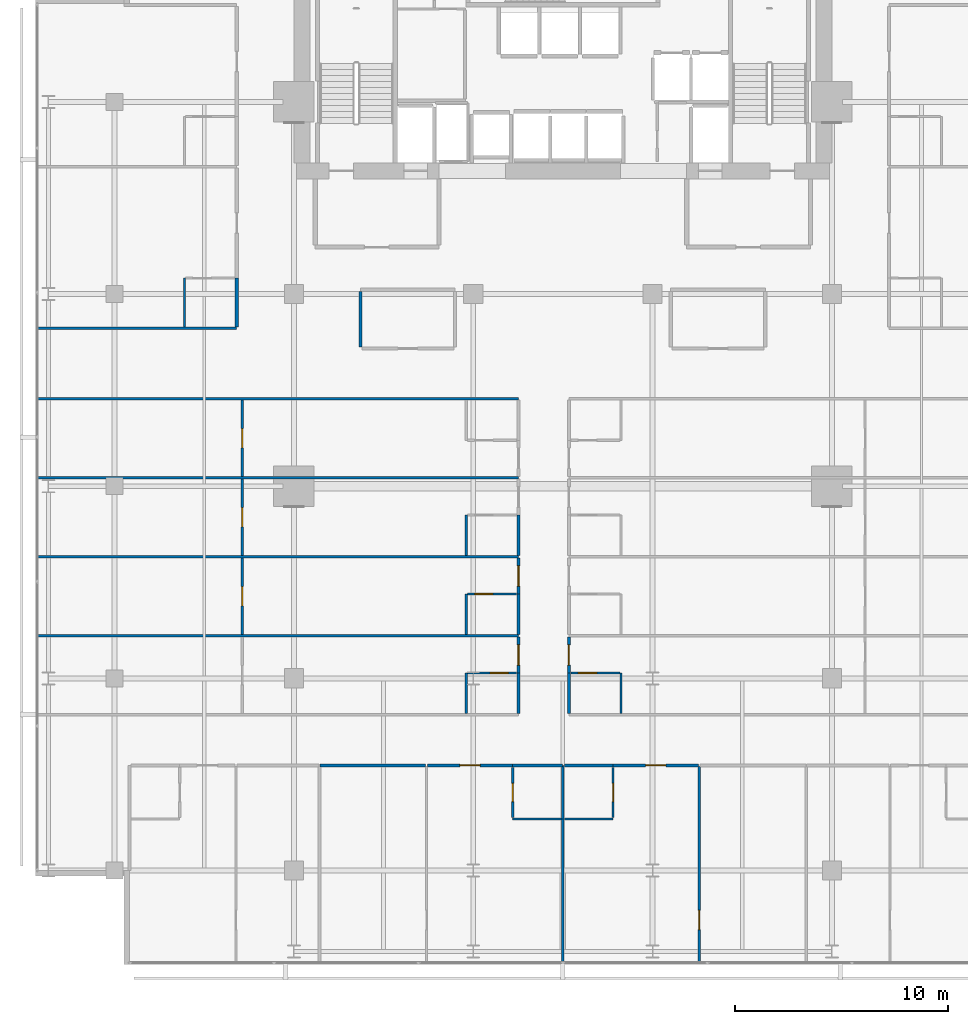
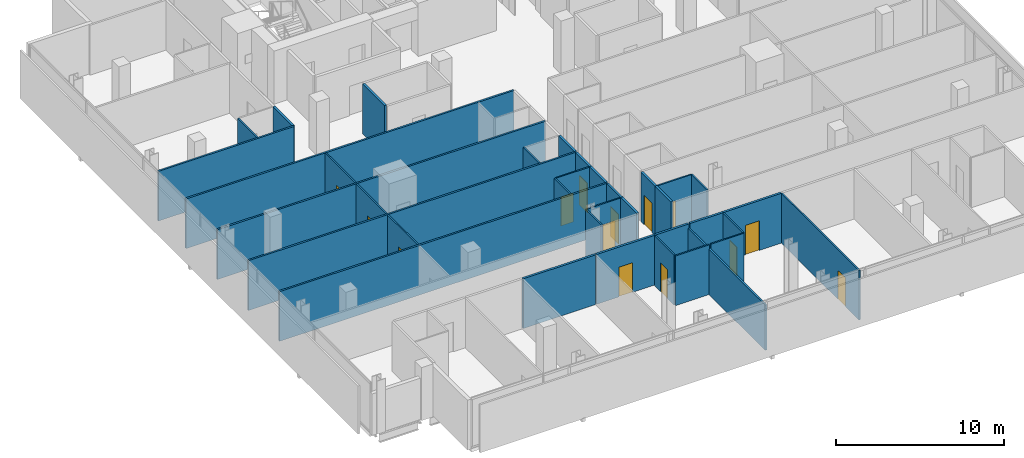
# One storey, part 27 of 34: 36 walls, 14 doors, 14 openings.
"""IFC4 building model written with IfcOpenShell, lengths in metres."""

from ifc_helpers import new_model, si_unit, direction, frame, frame_2d, origin, place, context, subcontext, project, spatial, rectangle, extrude, material, layer, layer_set, type_object, element, fill, save


model = new_model("IFC4")

# Units and contexts
model_context = context("Model", 3, precision=1e-05, world=origin(), true_north=direction((0.0, 1.0)))
body_context = subcontext(model_context, "Body", "Model", "MODEL_VIEW")
ifc_project = project(units=[si_unit("LENGTHUNIT", "METRE"), si_unit("AREAUNIT", "SQUARE_METRE"), si_unit("VOLUMEUNIT", "CUBIC_METRE"), si_unit("PLANEANGLEUNIT", "RADIAN"), si_unit("MASSUNIT", "GRAM", prefix="KILO")], contexts=[model_context])

# Site, building, storey
site_placement = place(None, origin())
site = spatial("IfcSite", under=ifc_project, at=site_placement, CompositionType="ELEMENT")
building_placement = place(site_placement, origin())
building = spatial("IfcBuilding", under=site, at=building_placement, Name="Maruvema Waterfront Hotel and Observation Tower", CompositionType="ELEMENT")
storey_placement = place(building_placement, frame((0.0, 0.0, 189.0)))
storey = spatial("IfcBuildingStorey", under=building, at=storey_placement, Name="L46", CompositionType="ELEMENT", Elevation=189.0)

# Walls
ifc_material_1 = material(Name="Twin-stud acoustic gypsum drywall", Category="gypsum")
ifc_layer_1 = layer(ifc_material_1, 0.14990234375, Name="Acoustic Corridor and Suite Demising Wall 150 mm")
ifc_layer_set_1 = layer_set([ifc_layer_1], Name="Twin-stud acoustic gypsum drywall")
wall_type_1 = type_object("IfcWallType", Name="Acoustic Corridor and Suite Demising Wall 150 mm", PredefinedType="PARTITIONING", material=ifc_layer_set_1)
wall_1_placement = place(storey_placement, frame((28.320068359375, 33.530029296875, 0.0), z_axis=(0.0, 0.0, 1.0), x_axis=(0.0, 1.0, 0.0)))
element("IfcWall", 1, at=wall_1_placement, inside=storey, type_object=wall_type_1, Name="L46 L46-M1 West Wall 018", PredefinedType="PARTITIONING", context=body_context, shape_type="SweptSolid", body=[
    extrude(rectangle(XDim=2.590087890625, YDim=0.14990234375, at=frame_2d((1.294921875, 0.0))), origin(), (0.0, 0.0, 1.0), 3.610107421875),
])
wall_2_placement = place(storey_placement, frame((35.449951171875, 13.919921875, 0.0), z_axis=(0.0, 0.0, 1.0), x_axis=(1.0, 0.0, 0.0)))
element("IfcWall", 2, at=wall_2_placement, inside=storey, type_object=wall_type_1, Name="L46 Bath L46-S2 Back Wall 034", PredefinedType="PARTITIONING", context=body_context, shape_type="SweptSolid", body=[
    extrude(rectangle(XDim=2.330078125, YDim=0.14990234375, at=frame_2d((1.1650390625, 0.0))), origin(), (0.0, 0.0, 1.0), 3.610107421875),
])
wall_3_placement = place(storey_placement, frame((26.419921875, 13.919921875, 0.0), z_axis=(0.0, 0.0, 1.0), x_axis=(1.0, 0.0, 0.0)))
element("IfcWall", 3, at=wall_3_placement, inside=storey, type_object=wall_type_1, Name="L46 Bedroom L46-S2 Back Wall 037", PredefinedType="PARTITIONING", context=body_context, shape_type="SweptSolid", body=[
    extrude(rectangle(XDim=4.9560546875, YDim=0.14990234375, at=frame_2d((2.47802734375, 0.0))), origin(), (0.0, 0.0, 1.0), 3.610107421875),
])

# Wall, opening, door
wall_4_placement = place(storey_placement, frame((31.4560546875, 13.919921875, 0.0), z_axis=(0.0, 0.0, 1.0), x_axis=(1.0, 0.0, 0.0)))
wall_4 = element("IfcWall", 4, at=wall_4_placement, inside=storey, type_object=wall_type_1, Name="L46 Unit L46-S2 Corridor Wall 038", PredefinedType="PARTITIONING", context=body_context, shape_type="SweptSolid", body=[
    extrude(rectangle(XDim=3.993896484375, YDim=0.14990234375, at=frame_2d((1.9970703125, 0.0))), origin(), (0.0, 0.0, 1.0), 3.610107421875),
])
opening_1_placement = place(wall_4_placement, frame((1.52197265625, 0.0, 0.0)))
opening_1 = element("IfcOpeningElement", 5, at=opening_1_placement, cuts=wall_4, Name="Opening DR-095", PredefinedType="OPENING", context=body_context, shape_type="SweptSolid", body=[
    extrude(rectangle(XDim=0.949951171875, YDim=2.14990234375, at=frame_2d((0.47509765625, 1.074951171875))), frame((0.0, 0.0849609375, 0.0), z_axis=(0.0, -1.0, 0.0), x_axis=(1.0, 0.0, 0.0)), (0.0, 0.0, 1.0), 0.169921875),
])
ifc_material_2 = material(Name="Acoustic solid-core hardwood timber leaf", Category="wood")
door_type_1 = type_object("IfcDoorType", Name="Guestroom Entrance Fire Door 950x2150 mm", OperationType="NOTDEFINED", PredefinedType="DOOR", material=ifc_material_2)
door_1_placement = place(opening_1_placement, frame((0.949951171875, 0.0, 0.0), z_axis=(0.0, 0.0, 1.0), x_axis=(-1.0, 0.0, 0.0)))
door_1 = element("IfcDoor", 6, at=door_1_placement, inside=storey, type_object=door_type_1, Name="L46 Unit L46-S2 Entrance Door", OperationType="SINGLE_SWING_LEFT", OverallHeight=2.14990234375, OverallWidth=0.949951171875, PredefinedType="DOOR", context=body_context, shape_type="SweptSolid", body=[
    extrude(rectangle(XDim=0.949951171875, YDim=2.14990234375, at=frame_2d((0.47509765625, 1.074951171875))), frame((0.0, 0.02490234375, 0.0), z_axis=(0.0, -1.0, 0.0), x_axis=(1.0, 0.0, 0.0)), (0.0, 0.0, 1.0), 0.050048828125),
])
fill(opening_1, door_1)

# Wall
wall_5_placement = place(storey_placement, frame((37.8798828125, 13.919921875, 0.0), z_axis=(0.0, 0.0, 1.0), x_axis=(1.0, 0.0, 0.0)))
element("IfcWall", 7, at=wall_5_placement, inside=storey, type_object=wall_type_1, Name="L46 Bath L46-S3 Back Wall 041", PredefinedType="PARTITIONING", context=body_context, shape_type="SweptSolid", body=[
    extrude(rectangle(XDim=2.27001953125, YDim=0.14990234375, at=frame_2d((1.135009765625, 0.0))), origin(), (0.0, 0.0, 1.0), 3.610107421875),
])

# Wall, opening, door
wall_6_placement = place(storey_placement, frame((40.14990234375, 13.919921875, 0.0), z_axis=(0.0, 0.0, 1.0), x_axis=(1.0, 0.0, 0.0)))
wall_6 = element("IfcWall", 8, at=wall_6_placement, inside=storey, type_object=wall_type_1, Name="L46 Unit L46-S3 Corridor Wall 044", PredefinedType="PARTITIONING", context=body_context, shape_type="SweptSolid", body=[
    extrude(rectangle(XDim=3.994140625, YDim=0.14990234375, at=frame_2d((1.9970703125, 0.0))), origin(), (0.0, 0.0, 1.0), 3.610107421875),
])
opening_2_placement = place(wall_6_placement, frame((1.52197265625, 0.0, 0.0)))
opening_2 = element("IfcOpeningElement", 9, at=opening_2_placement, cuts=wall_6, Name="Opening DR-095", PredefinedType="OPENING", context=body_context, shape_type="SweptSolid", body=[
    extrude(rectangle(XDim=0.949951171875, YDim=2.14990234375, at=frame_2d((0.47509765625, 1.074951171875))), frame((0.0, 0.0849609375, 0.0), z_axis=(0.0, -1.0, 0.0), x_axis=(1.0, 0.0, 0.0)), (0.0, 0.0, 1.0), 0.169921875),
])
door_2_placement = place(opening_2_placement, frame((0.949951171875, 0.0, 0.0), z_axis=(0.0, 0.0, 1.0), x_axis=(-1.0, 0.0, 0.0)))
door_2 = element("IfcDoor", 10, at=door_2_placement, inside=storey, type_object=door_type_1, Name="L46 Unit L46-S3 Entrance Door", OperationType="SINGLE_SWING_RIGHT", OverallHeight=2.14990234375, OverallWidth=0.949951171875, PredefinedType="DOOR", context=body_context, shape_type="SweptSolid", body=[
    extrude(rectangle(XDim=0.949951171875, YDim=2.14990234375, at=frame_2d((0.47509765625, 1.074951171875))), frame((0.0, 0.02490234375, 0.0), z_axis=(0.0, -1.0, 0.0), x_axis=(1.0, 0.0, 0.0)), (0.0, 0.0, 1.0), 0.050048828125),
])
fill(opening_2, door_2)

# Wall
wall_7_placement = place(storey_placement, frame((35.719970703125, 16.360107421875, 0.0), z_axis=(0.0, 0.0, 1.0), x_axis=(0.0, 1.0, 0.0)))
element("IfcWall", 11, at=wall_7_placement, inside=storey, type_object=wall_type_1, Name="L46 Bath L46-W1 Wall 058", PredefinedType="PARTITIONING", context=body_context, shape_type="SweptSolid", body=[
    extrude(rectangle(XDim=1.889892578125, YDim=0.14990234375, at=frame_2d((0.94482421875, 0.0))), origin(), (0.0, 0.0, 1.0), 3.610107421875),
])

# Wall, opening, door
wall_8_placement = place(storey_placement, frame((35.719970703125, 18.25, 0.0), z_axis=(0.0, 0.0, 1.0), x_axis=(0.0, 1.0, 0.0)))
wall_8 = element("IfcWall", 12, at=wall_8_placement, inside=storey, type_object=wall_type_1, Name="L46 Room L46-W1 Corridor Wall 059", PredefinedType="PARTITIONING", context=body_context, shape_type="SweptSolid", body=[
    extrude(rectangle(XDim=1.68994140625, YDim=0.14990234375, at=frame_2d((0.844970703125, 0.0))), origin(), (0.0, 0.0, 1.0), 3.610107421875),
])
opening_3_placement = place(wall_8_placement, frame((0.3701171875, 0.0, 0.0)))
opening_3 = element("IfcOpeningElement", 13, at=opening_3_placement, cuts=wall_8, Name="Opening DR-095", PredefinedType="OPENING", context=body_context, shape_type="SweptSolid", body=[
    extrude(rectangle(XDim=0.949951171875, YDim=2.14990234375, at=frame_2d((0.47509765625, 1.074951171875))), frame((0.0, 0.0849609375, 0.0), z_axis=(0.0, -1.0, 0.0), x_axis=(1.0, 0.0, 0.0)), (0.0, 0.0, 1.0), 0.169921875),
])
door_3_placement = place(opening_3_placement, origin())
door_3 = element("IfcDoor", 14, at=door_3_placement, inside=storey, type_object=door_type_1, Name="L46 Room L46-W1 Entrance Door", OperationType="SINGLE_SWING_RIGHT", OverallHeight=2.14990234375, OverallWidth=0.949951171875, PredefinedType="DOOR", context=body_context, shape_type="SweptSolid", body=[
    extrude(rectangle(XDim=0.949951171875, YDim=2.14990234375, at=frame_2d((0.47509765625, 1.074951171875))), frame((0.0, 0.02490234375, 0.0), z_axis=(0.0, -1.0, 0.0), x_axis=(1.0, 0.0, 0.0)), (0.0, 0.0, 1.0), 0.050048828125),
])
fill(opening_3, door_3)

# Wall
wall_9_placement = place(storey_placement, frame((38.080078125, 16.360107421875, 0.0), z_axis=(0.0, 0.0, 1.0), x_axis=(0.0, 1.0, 0.0)))
element("IfcWall", 15, at=wall_9_placement, inside=storey, type_object=wall_type_1, Name="L46 Bath L46-E1 Wall 063", PredefinedType="PARTITIONING", context=body_context, shape_type="SweptSolid", body=[
    extrude(rectangle(XDim=1.889892578125, YDim=0.14990234375, at=frame_2d((0.94482421875, 0.0))), origin(), (0.0, 0.0, 1.0), 3.610107421875),
])

# Wall, opening, door
wall_10_placement = place(storey_placement, frame((38.080078125, 18.25, 0.0), z_axis=(0.0, 0.0, 1.0), x_axis=(0.0, 1.0, 0.0)))
wall_10 = element("IfcWall", 16, at=wall_10_placement, inside=storey, type_object=wall_type_1, Name="L46 Room L46-E1 Corridor Wall 064", PredefinedType="PARTITIONING", context=body_context, shape_type="SweptSolid", body=[
    extrude(rectangle(XDim=1.68994140625, YDim=0.14990234375, at=frame_2d((0.844970703125, 0.0))), origin(), (0.0, 0.0, 1.0), 3.610107421875),
])
opening_4_placement = place(wall_10_placement, frame((0.3701171875, 0.0, 0.0)))
opening_4 = element("IfcOpeningElement", 17, at=opening_4_placement, cuts=wall_10, Name="Opening DR-095", PredefinedType="OPENING", context=body_context, shape_type="SweptSolid", body=[
    extrude(rectangle(XDim=0.949951171875, YDim=2.14990234375, at=frame_2d((0.47509765625, 1.074951171875))), frame((0.0, 0.0849609375, 0.0), z_axis=(0.0, -1.0, 0.0), x_axis=(1.0, 0.0, 0.0)), (0.0, 0.0, 1.0), 0.169921875),
])
door_4_placement = place(opening_4_placement, frame((0.949951171875, 0.0, 0.0), z_axis=(0.0, 0.0, 1.0), x_axis=(-1.0, 0.0, 0.0)))
door_4 = element("IfcDoor", 18, at=door_4_placement, inside=storey, type_object=door_type_1, Name="L46 Room L46-E1 Entrance Door", OperationType="SINGLE_SWING_LEFT", OverallHeight=2.14990234375, OverallWidth=0.949951171875, PredefinedType="DOOR", context=body_context, shape_type="SweptSolid", body=[
    extrude(rectangle(XDim=0.949951171875, YDim=2.14990234375, at=frame_2d((0.47509765625, 1.074951171875))), frame((0.0, 0.02490234375, 0.0), z_axis=(0.0, -1.0, 0.0), x_axis=(1.0, 0.0, 0.0)), (0.0, 0.0, 1.0), 0.050048828125),
])
fill(opening_4, door_4)

# Wall
wall_11_placement = place(storey_placement, frame((35.719970703125, 20.06005859375, 0.0), z_axis=(0.0, 0.0, 1.0), x_axis=(0.0, 1.0, 0.0)))
element("IfcWall", 19, at=wall_11_placement, inside=storey, type_object=wall_type_1, Name="L46 Bath L46-W2 Wall 070", PredefinedType="PARTITIONING", context=body_context, shape_type="SweptSolid", body=[
    extrude(rectangle(XDim=1.889892578125, YDim=0.14990234375, at=frame_2d((0.94482421875, 0.0))), origin(), (0.0, 0.0, 1.0), 3.610107421875),
])

# Wall, opening, door
wall_12_placement = place(storey_placement, frame((35.719970703125, 21.949951171875, 0.0), z_axis=(0.0, 0.0, 1.0), x_axis=(0.0, 1.0, 0.0)))
wall_12 = element("IfcWall", 20, at=wall_12_placement, inside=storey, type_object=wall_type_1, Name="L46 Room L46-W2 Corridor Wall 071", PredefinedType="PARTITIONING", context=body_context, shape_type="SweptSolid", body=[
    extrude(rectangle(XDim=1.68994140625, YDim=0.14990234375, at=frame_2d((0.844970703125, 0.0))), origin(), (0.0, 0.0, 1.0), 3.610107421875),
])
opening_5_placement = place(wall_12_placement, frame((0.3701171875, 0.0, 0.0)))
opening_5 = element("IfcOpeningElement", 21, at=opening_5_placement, cuts=wall_12, Name="Opening DR-095", PredefinedType="OPENING", context=body_context, shape_type="SweptSolid", body=[
    extrude(rectangle(XDim=0.949951171875, YDim=2.14990234375, at=frame_2d((0.47509765625, 1.074951171875))), frame((0.0, 0.0849609375, 0.0), z_axis=(0.0, -1.0, 0.0), x_axis=(1.0, 0.0, 0.0)), (0.0, 0.0, 1.0), 0.169921875),
])
door_5_placement = place(opening_5_placement, origin())
door_5 = element("IfcDoor", 22, at=door_5_placement, inside=storey, type_object=door_type_1, Name="L46 Room L46-W2 Entrance Door", OperationType="SINGLE_SWING_RIGHT", OverallHeight=2.14990234375, OverallWidth=0.949951171875, PredefinedType="DOOR", context=body_context, shape_type="SweptSolid", body=[
    extrude(rectangle(XDim=0.949951171875, YDim=2.14990234375, at=frame_2d((0.47509765625, 1.074951171875))), frame((0.0, 0.02490234375, 0.0), z_axis=(0.0, -1.0, 0.0), x_axis=(1.0, 0.0, 0.0)), (0.0, 0.0, 1.0), 0.050048828125),
])
fill(opening_5, door_5)

# Walls
wall_13_placement = place(storey_placement, frame((35.719970703125, 23.760009765625, 0.0), z_axis=(0.0, 0.0, 1.0), x_axis=(0.0, 1.0, 0.0)))
element("IfcWall", 23, at=wall_13_placement, inside=storey, type_object=wall_type_1, Name="L46 Bath L46-W3 Wall 082", PredefinedType="PARTITIONING", context=body_context, shape_type="SweptSolid", body=[
    extrude(rectangle(XDim=1.889892578125, YDim=0.14990234375, at=frame_2d((0.94482421875, 0.0))), origin(), (0.0, 0.0, 1.0), 3.610107421875),
])
wall_14_placement = place(storey_placement, frame((22.52001953125, 34.4599609375, 0.0), z_axis=(0.0, 0.0, 1.0), x_axis=(0.0, 1.0, 0.0)))
element("IfcWall", 24, at=wall_14_placement, inside=storey, type_object=wall_type_1, Name="L46 Bath L46-NW1 Wall 108", PredefinedType="PARTITIONING", context=body_context, shape_type="SweptSolid", body=[
    extrude(rectangle(XDim=2.2900390625, YDim=0.14990234375, at=frame_2d((1.14501953125, 0.0))), origin(), (0.0, 0.0, 1.0), 3.610107421875),
])
ifc_material_3 = material(Name="Moisture-resistant cement-board drywall", Category="gypsum")
ifc_layer_2 = layer(ifc_material_3, 0.10009765625, Name="En-Suite Moisture-Resistant Partition 100 mm")
ifc_layer_set_2 = layer_set([ifc_layer_2], Name="Moisture-resistant cement-board drywall")
wall_type_2 = type_object("IfcWallType", Name="En-Suite Moisture-Resistant Partition 100 mm", PredefinedType="PARTITIONING", material=ifc_layer_set_2)
wall_15_placement = place(storey_placement, frame((35.449951171875, 11.419921875, 0.0), z_axis=(0.0, 0.0, 1.0), x_axis=(1.0, 0.0, 0.0)))
element("IfcWall", 25, at=wall_15_placement, inside=storey, type_object=wall_type_2, Name="L46 En-Suite L46-S2 South 035", PredefinedType="PARTITIONING", context=body_context, shape_type="SweptSolid", body=[
    extrude(rectangle(XDim=2.31005859375, YDim=0.10009765625, at=frame_2d((1.155029296875, 0.0))), origin(), (0.0, 0.0, 1.0), 3.610107421875),
])

# Wall, opening, door
wall_16_placement = place(storey_placement, frame((35.449951171875, 11.47998046875, 0.0), z_axis=(0.0, 0.0, 1.0), x_axis=(0.0, 1.0, 0.0)))
wall_16 = element("IfcWall", 26, at=wall_16_placement, inside=storey, type_object=wall_type_2, Name="L46 En-Suite L46-S2 West 036", PredefinedType="PARTITIONING", context=body_context, shape_type="SweptSolid", body=[
    extrude(rectangle(XDim=2.340087890625, YDim=0.10009765625, at=frame_2d((1.169921875, 0.0))), origin(), (0.0, 0.0, 1.0), 3.610107421875),
])
opening_6_placement = place(wall_16_placement, frame((0.7451171875, 0.0, 0.0)))
opening_6 = element("IfcOpeningElement", 27, at=opening_6_placement, cuts=wall_16, Name="Opening DR-085", PredefinedType="OPENING", context=body_context, shape_type="SweptSolid", body=[
    extrude(rectangle(XDim=0.85009765625, YDim=2.10009765625, at=frame_2d((0.425048828125, 1.050048828125))), frame((0.0, 0.06005859375, 0.0), z_axis=(0.0, -1.0, 0.0), x_axis=(1.0, 0.0, 0.0)), (0.0, 0.0, 1.0), 0.1201171875),
])
ifc_material_4 = material(Name="Moisture-resistant solid timber leaf", Category="wood")
door_type_2 = type_object("IfcDoorType", Name="En-Suite Bathroom Door 850x2100 mm", OperationType="NOTDEFINED", PredefinedType="DOOR", material=ifc_material_4)
door_6_placement = place(opening_6_placement, origin())
door_6 = element("IfcDoor", 28, at=door_6_placement, inside=storey, type_object=door_type_2, Name="L46 En-Suite L46-S2 Door", OperationType="SINGLE_SWING_RIGHT", OverallHeight=2.10009765625, OverallWidth=0.85009765625, PredefinedType="DOOR", context=body_context, shape_type="SweptSolid", body=[
    extrude(rectangle(XDim=0.85009765625, YDim=2.10009765625, at=frame_2d((0.425048828125, 1.050048828125))), frame((0.0, 0.02490234375, 0.0), z_axis=(0.0, -1.0, 0.0), x_axis=(1.0, 0.0, 0.0)), (0.0, 0.0, 1.0), 0.050048828125),
])
fill(opening_6, door_6)

# Wall
wall_17_placement = place(storey_placement, frame((37.8798828125, 11.419921875, 0.0), z_axis=(0.0, 0.0, 1.0), x_axis=(1.0, 0.0, 0.0)))
element("IfcWall", 29, at=wall_17_placement, inside=storey, type_object=wall_type_2, Name="L46 En-Suite L46-S3 South 042", PredefinedType="PARTITIONING", context=body_context, shape_type="SweptSolid", body=[
    extrude(rectangle(XDim=2.27001953125, YDim=0.10009765625, at=frame_2d((1.135009765625, 0.0))), origin(), (0.0, 0.0, 1.0), 3.610107421875),
])

# Wall, opening, door
wall_18_placement = place(storey_placement, frame((40.14990234375, 11.47998046875, 0.0), z_axis=(0.0, 0.0, 1.0), x_axis=(0.0, 1.0, 0.0)))
wall_18 = element("IfcWall", 30, at=wall_18_placement, inside=storey, type_object=wall_type_2, Name="L46 En-Suite L46-S3 East 043", PredefinedType="PARTITIONING", context=body_context, shape_type="SweptSolid", body=[
    extrude(rectangle(XDim=2.340087890625, YDim=0.10009765625, at=frame_2d((1.169921875, 0.0))), origin(), (0.0, 0.0, 1.0), 3.610107421875),
])
opening_7_placement = place(wall_18_placement, frame((0.7451171875, 0.0, 0.0)))
opening_7 = element("IfcOpeningElement", 31, at=opening_7_placement, cuts=wall_18, Name="Opening DR-085", PredefinedType="OPENING", context=body_context, shape_type="SweptSolid", body=[
    extrude(rectangle(XDim=0.85009765625, YDim=2.10009765625, at=frame_2d((0.425048828125, 1.050048828125))), frame((0.0, 0.06005859375, 0.0), z_axis=(0.0, -1.0, 0.0), x_axis=(1.0, 0.0, 0.0)), (0.0, 0.0, 1.0), 0.1201171875),
])
door_7_placement = place(opening_7_placement, frame((0.85009765625, 0.0, 0.0), z_axis=(0.0, 0.0, 1.0), x_axis=(-1.0, 0.0, 0.0)))
door_7 = element("IfcDoor", 32, at=door_7_placement, inside=storey, type_object=door_type_2, Name="L46 En-Suite L46-S3 Door", OperationType="SINGLE_SWING_LEFT", OverallHeight=2.10009765625, OverallWidth=0.85009765625, PredefinedType="DOOR", context=body_context, shape_type="SweptSolid", body=[
    extrude(rectangle(XDim=0.85009765625, YDim=2.10009765625, at=frame_2d((0.425048828125, 1.050048828125))), frame((0.0, 0.02490234375, 0.0), z_axis=(0.0, -1.0, 0.0), x_axis=(1.0, 0.0, 0.0)), (0.0, 0.0, 1.0), 0.050048828125),
])
fill(opening_7, door_7)

wall_19_placement = place(storey_placement, frame((44.18408203125, 4.6298828125, 0.0), z_axis=(0.0, 0.0, 1.0), x_axis=(0.0, 1.0, 0.0)))
wall_19 = element("IfcWall", 33, at=wall_19_placement, inside=storey, type_object=wall_type_2, Name="L46 Suite L46-S3 Split 046", PredefinedType="PARTITIONING", context=body_context, shape_type="SweptSolid", body=[
    extrude(rectangle(XDim=9.230224609375, YDim=0.10009765625, at=frame_2d((4.615234375, 0.0))), origin(), (0.0, 0.0, 1.0), 3.610107421875),
])
opening_8_placement = place(wall_19_placement, frame((1.60009765625, 0.0, 0.0)))
opening_8 = element("IfcOpeningElement", 34, at=opening_8_placement, cuts=wall_19, Name="Opening DR-090", PredefinedType="OPENING", context=body_context, shape_type="SweptSolid", body=[
    extrude(rectangle(XDim=0.89990234375, YDim=2.10009765625, at=frame_2d((0.449951171875, 1.050048828125))), frame((0.0, 0.06005859375, 0.0), z_axis=(0.0, -1.0, 0.0), x_axis=(1.0, 0.0, 0.0)), (0.0, 0.0, 1.0), 0.1201171875),
])
ifc_material_5 = material(Name="Solid-core lacquered timber leaf", Category="wood")
door_type_3 = type_object("IfcDoorType", Name="Accessible Toilet and Room Door 900x2100 mm", OperationType="NOTDEFINED", PredefinedType="DOOR", material=ifc_material_5)
door_8_placement = place(opening_8_placement, origin())
door_8 = element("IfcDoor", 35, at=door_8_placement, inside=storey, type_object=door_type_3, Name="L46 Suite L46-S3 Bedroom Door", OperationType="SINGLE_SWING_LEFT", OverallHeight=2.10009765625, OverallWidth=0.89990234375, PredefinedType="DOOR", context=body_context, shape_type="SweptSolid", body=[
    extrude(rectangle(XDim=0.89990234375, YDim=2.10009765625, at=frame_2d((0.449951171875, 1.050048828125))), frame((0.0, 0.02490234375, 0.0), z_axis=(0.0, -1.0, 0.0), x_axis=(1.0, 0.0, 0.0)), (0.0, 0.0, 1.0), 0.050048828125),
])
fill(opening_8, door_8)

# Wall
wall_20_placement = place(storey_placement, frame((33.27001953125, 16.360107421875, 0.0), z_axis=(0.0, 0.0, 1.0), x_axis=(0.0, 1.0, 0.0)))
element("IfcWall", 36, at=wall_20_placement, inside=storey, type_object=wall_type_2, Name="L46 En-Suite L46-W1 W 060", PredefinedType="PARTITIONING", context=body_context, shape_type="SweptSolid", body=[
    extrude(rectangle(XDim=1.889892578125, YDim=0.10009765625, at=frame_2d((0.94482421875, 0.0))), origin(), (0.0, 0.0, 1.0), 3.610107421875),
])

# Wall, opening, door
wall_21_placement = place(storey_placement, frame((33.320068359375, 18.25, 0.0), z_axis=(0.0, 0.0, 1.0), x_axis=(1.0, 0.0, 0.0)))
wall_21 = element("IfcWall", 37, at=wall_21_placement, inside=storey, type_object=wall_type_2, Name="L46 En-Suite L46-W1 N 061", PredefinedType="PARTITIONING", context=body_context, shape_type="SweptSolid", body=[
    extrude(rectangle(XDim=2.300048828125, YDim=0.10009765625, at=frame_2d((1.14990234375, 0.0))), origin(), (0.0, 0.0, 1.0), 3.610107421875),
])
opening_9_placement = place(wall_21_placement, frame((1.070068359375, 0.0, 0.0)))
opening_9 = element("IfcOpeningElement", 38, at=opening_9_placement, cuts=wall_21, Name="Opening DR-085", PredefinedType="OPENING", context=body_context, shape_type="SweptSolid", body=[
    extrude(rectangle(XDim=0.85009765625, YDim=2.10009765625, at=frame_2d((0.425048828125, 1.050048828125))), frame((0.0, 0.06005859375, 0.0), z_axis=(0.0, -1.0, 0.0), x_axis=(1.0, 0.0, 0.0)), (0.0, 0.0, 1.0), 0.1201171875),
])
door_9_placement = place(opening_9_placement, origin())
door_9 = element("IfcDoor", 39, at=door_9_placement, inside=storey, type_object=door_type_2, Name="L46 En-Suite L46-W1 Door", OperationType="SINGLE_SWING_LEFT", OverallHeight=2.10009765625, OverallWidth=0.85009765625, PredefinedType="DOOR", context=body_context, shape_type="SweptSolid", body=[
    extrude(rectangle(XDim=0.85009765625, YDim=2.10009765625, at=frame_2d((0.425048828125, 1.050048828125))), frame((0.0, 0.02490234375, 0.0), z_axis=(0.0, -1.0, 0.0), x_axis=(1.0, 0.0, 0.0)), (0.0, 0.0, 1.0), 0.050048828125),
])
fill(opening_9, door_9)

# Wall
wall_22_placement = place(storey_placement, frame((40.530029296875, 16.360107421875, 0.0), z_axis=(0.0, 0.0, 1.0), x_axis=(0.0, 1.0, 0.0)))
element("IfcWall", 40, at=wall_22_placement, inside=storey, type_object=wall_type_2, Name="L46 En-Suite L46-E1 E 065", PredefinedType="PARTITIONING", context=body_context, shape_type="SweptSolid", body=[
    extrude(rectangle(XDim=1.889892578125, YDim=0.10009765625, at=frame_2d((0.94482421875, 0.0))), origin(), (0.0, 0.0, 1.0), 3.610107421875),
])

# Wall, opening, door
wall_23_placement = place(storey_placement, frame((38.179931640625, 18.25, 0.0), z_axis=(0.0, 0.0, 1.0), x_axis=(1.0, 0.0, 0.0)))
wall_23 = element("IfcWall", 41, at=wall_23_placement, inside=storey, type_object=wall_type_2, Name="L46 En-Suite L46-E1 N 066", PredefinedType="PARTITIONING", context=body_context, shape_type="SweptSolid", body=[
    extrude(rectangle(XDim=2.300048828125, YDim=0.10009765625, at=frame_2d((1.14990234375, 0.0))), origin(), (0.0, 0.0, 1.0), 3.610107421875),
])
opening_10_placement = place(wall_23_placement, frame((0.35009765625, 0.0, 0.0)))
opening_10 = element("IfcOpeningElement", 42, at=opening_10_placement, cuts=wall_23, Name="Opening DR-085", PredefinedType="OPENING", context=body_context, shape_type="SweptSolid", body=[
    extrude(rectangle(XDim=0.85009765625, YDim=2.10009765625, at=frame_2d((0.425048828125, 1.050048828125))), frame((0.0, 0.06005859375, 0.0), z_axis=(0.0, -1.0, 0.0), x_axis=(1.0, 0.0, 0.0)), (0.0, 0.0, 1.0), 0.1201171875),
])
door_10_placement = place(opening_10_placement, origin())
door_10 = element("IfcDoor", 43, at=door_10_placement, inside=storey, type_object=door_type_2, Name="L46 En-Suite L46-E1 Door", OperationType="SINGLE_SWING_RIGHT", OverallHeight=2.10009765625, OverallWidth=0.85009765625, PredefinedType="DOOR", context=body_context, shape_type="SweptSolid", body=[
    extrude(rectangle(XDim=0.85009765625, YDim=2.10009765625, at=frame_2d((0.425048828125, 1.050048828125))), frame((0.0, 0.02490234375, 0.0), z_axis=(0.0, -1.0, 0.0), x_axis=(1.0, 0.0, 0.0)), (0.0, 0.0, 1.0), 0.050048828125),
])
fill(opening_10, door_10)

# Wall
wall_24_placement = place(storey_placement, frame((33.27001953125, 20.06005859375, 0.0), z_axis=(0.0, 0.0, 1.0), x_axis=(0.0, 1.0, 0.0)))
element("IfcWall", 44, at=wall_24_placement, inside=storey, type_object=wall_type_2, Name="L46 En-Suite L46-W2 W 072", PredefinedType="PARTITIONING", context=body_context, shape_type="SweptSolid", body=[
    extrude(rectangle(XDim=1.889892578125, YDim=0.10009765625, at=frame_2d((0.94482421875, 0.0))), origin(), (0.0, 0.0, 1.0), 3.610107421875),
])

# Wall, opening, door
wall_25_placement = place(storey_placement, frame((33.320068359375, 21.949951171875, 0.0), z_axis=(0.0, 0.0, 1.0), x_axis=(1.0, 0.0, 0.0)))
wall_25 = element("IfcWall", 45, at=wall_25_placement, inside=storey, type_object=wall_type_2, Name="L46 En-Suite L46-W2 N 073", PredefinedType="PARTITIONING", context=body_context, shape_type="SweptSolid", body=[
    extrude(rectangle(XDim=2.300048828125, YDim=0.10009765625, at=frame_2d((1.14990234375, 0.0))), origin(), (0.0, 0.0, 1.0), 3.610107421875),
])
opening_11_placement = place(wall_25_placement, frame((0.35009765625, 0.0, 0.0)))
opening_11 = element("IfcOpeningElement", 46, at=opening_11_placement, cuts=wall_25, Name="Opening DR-085", PredefinedType="OPENING", context=body_context, shape_type="SweptSolid", body=[
    extrude(rectangle(XDim=0.85009765625, YDim=2.10009765625, at=frame_2d((0.425048828125, 1.050048828125))), frame((0.0, 0.06005859375, 0.0), z_axis=(0.0, -1.0, 0.0), x_axis=(1.0, 0.0, 0.0)), (0.0, 0.0, 1.0), 0.1201171875),
])
door_11_placement = place(opening_11_placement, origin())
door_11 = element("IfcDoor", 47, at=door_11_placement, inside=storey, type_object=door_type_2, Name="L46 En-Suite L46-W2 Door", OperationType="SINGLE_SWING_LEFT", OverallHeight=2.10009765625, OverallWidth=0.85009765625, PredefinedType="DOOR", context=body_context, shape_type="SweptSolid", body=[
    extrude(rectangle(XDim=0.85009765625, YDim=2.10009765625, at=frame_2d((0.425048828125, 1.050048828125))), frame((0.0, 0.02490234375, 0.0), z_axis=(0.0, -1.0, 0.0), x_axis=(1.0, 0.0, 0.0)), (0.0, 0.0, 1.0), 0.050048828125),
])
fill(opening_11, door_11)

wall_26_placement = place(storey_placement, frame((22.781494140625, 20.06005859375, 0.0), z_axis=(0.0, 0.0, 1.0), x_axis=(0.0, 1.0, 0.0)))
wall_26 = element("IfcWall", 48, at=wall_26_placement, inside=storey, type_object=wall_type_2, Name="L46 Suite L46-W2 Split 074", PredefinedType="PARTITIONING", context=body_context, shape_type="SweptSolid", body=[
    extrude(rectangle(XDim=3.579833984375, YDim=0.10009765625, at=frame_2d((1.7900390625, 0.0))), origin(), (0.0, 0.0, 1.0), 3.610107421875),
])
opening_12_placement = place(wall_26_placement, frame((1.340087890625, 0.0, 0.0)))
opening_12 = element("IfcOpeningElement", 49, at=opening_12_placement, cuts=wall_26, Name="Opening DR-090", PredefinedType="OPENING", context=body_context, shape_type="SweptSolid", body=[
    extrude(rectangle(XDim=0.89990234375, YDim=2.10009765625, at=frame_2d((0.449951171875, 1.050048828125))), frame((0.0, 0.06005859375, 0.0), z_axis=(0.0, -1.0, 0.0), x_axis=(1.0, 0.0, 0.0)), (0.0, 0.0, 1.0), 0.1201171875),
])
door_12_placement = place(opening_12_placement, origin())
door_12 = element("IfcDoor", 50, at=door_12_placement, inside=storey, type_object=door_type_3, Name="L46 Suite L46-W2 Bedroom Door", OperationType="SINGLE_SWING_LEFT", OverallHeight=2.10009765625, OverallWidth=0.89990234375, PredefinedType="DOOR", context=body_context, shape_type="SweptSolid", body=[
    extrude(rectangle(XDim=0.89990234375, YDim=2.10009765625, at=frame_2d((0.449951171875, 1.050048828125))), frame((0.0, 0.02490234375, 0.0), z_axis=(0.0, -1.0, 0.0), x_axis=(1.0, 0.0, 0.0)), (0.0, 0.0, 1.0), 0.050048828125),
])
fill(opening_12, door_12)

# Wall
wall_27_placement = place(storey_placement, frame((33.27001953125, 23.760009765625, 0.0), z_axis=(0.0, 0.0, 1.0), x_axis=(0.0, 1.0, 0.0)))
element("IfcWall", 51, at=wall_27_placement, inside=storey, type_object=wall_type_2, Name="L46 En-Suite L46-W3 W 084", PredefinedType="PARTITIONING", context=body_context, shape_type="SweptSolid", body=[
    extrude(rectangle(XDim=1.889892578125, YDim=0.10009765625, at=frame_2d((0.94482421875, 0.0))), origin(), (0.0, 0.0, 1.0), 3.610107421875),
])

# Wall, opening, door
wall_28_placement = place(storey_placement, frame((22.781494140625, 23.760009765625, 0.0), z_axis=(0.0, 0.0, 1.0), x_axis=(0.0, 1.0, 0.0)))
wall_28 = element("IfcWall", 52, at=wall_28_placement, inside=storey, type_object=wall_type_2, Name="L46 Suite L46-W3 Split 086", PredefinedType="PARTITIONING", context=body_context, shape_type="SweptSolid", body=[
    extrude(rectangle(XDim=3.580078125, YDim=0.10009765625, at=frame_2d((1.7900390625, 0.0))), origin(), (0.0, 0.0, 1.0), 3.610107421875),
])
opening_13_placement = place(wall_28_placement, frame((1.340087890625, 0.0, 0.0)))
opening_13 = element("IfcOpeningElement", 53, at=opening_13_placement, cuts=wall_28, Name="Opening DR-090", PredefinedType="OPENING", context=body_context, shape_type="SweptSolid", body=[
    extrude(rectangle(XDim=0.89990234375, YDim=2.10009765625, at=frame_2d((0.449951171875, 1.050048828125))), frame((0.0, 0.06005859375, 0.0), z_axis=(0.0, -1.0, 0.0), x_axis=(1.0, 0.0, 0.0)), (0.0, 0.0, 1.0), 0.1201171875),
])
door_13_placement = place(opening_13_placement, origin())
door_13 = element("IfcDoor", 54, at=door_13_placement, inside=storey, type_object=door_type_3, Name="L46 Suite L46-W3 Bedroom Door", OperationType="SINGLE_SWING_LEFT", OverallHeight=2.10009765625, OverallWidth=0.89990234375, PredefinedType="DOOR", context=body_context, shape_type="SweptSolid", body=[
    extrude(rectangle(XDim=0.89990234375, YDim=2.10009765625, at=frame_2d((0.449951171875, 1.050048828125))), frame((0.0, 0.02490234375, 0.0), z_axis=(0.0, -1.0, 0.0), x_axis=(1.0, 0.0, 0.0)), (0.0, 0.0, 1.0), 0.050048828125),
])
fill(opening_13, door_13)

wall_29_placement = place(storey_placement, frame((22.781494140625, 27.4599609375, 0.0), z_axis=(0.0, 0.0, 1.0), x_axis=(0.0, 1.0, 0.0)))
wall_29 = element("IfcWall", 55, at=wall_29_placement, inside=storey, type_object=wall_type_2, Name="L46 Suite L46-W4 Split 098", PredefinedType="PARTITIONING", context=body_context, shape_type="SweptSolid", body=[
    extrude(rectangle(XDim=3.580078125, YDim=0.10009765625, at=frame_2d((1.7900390625, 0.0))), origin(), (0.0, 0.0, 1.0), 3.610107421875),
])
opening_14_placement = place(wall_29_placement, frame((1.340087890625, 0.0, 0.0)))
opening_14 = element("IfcOpeningElement", 56, at=opening_14_placement, cuts=wall_29, Name="Opening DR-090", PredefinedType="OPENING", context=body_context, shape_type="SweptSolid", body=[
    extrude(rectangle(XDim=0.89990234375, YDim=2.10009765625, at=frame_2d((0.449951171875, 1.050048828125))), frame((0.0, 0.06005859375, 0.0), z_axis=(0.0, -1.0, 0.0), x_axis=(1.0, 0.0, 0.0)), (0.0, 0.0, 1.0), 0.1201171875),
])
door_14_placement = place(opening_14_placement, origin())
door_14 = element("IfcDoor", 57, at=door_14_placement, inside=storey, type_object=door_type_3, Name="L46 Suite L46-W4 Bedroom Door", OperationType="SINGLE_SWING_LEFT", OverallHeight=2.10009765625, OverallWidth=0.89990234375, PredefinedType="DOOR", context=body_context, shape_type="SweptSolid", body=[
    extrude(rectangle(XDim=0.89990234375, YDim=2.10009765625, at=frame_2d((0.449951171875, 1.050048828125))), frame((0.0, 0.02490234375, 0.0), z_axis=(0.0, -1.0, 0.0), x_axis=(1.0, 0.0, 0.0)), (0.0, 0.0, 1.0), 0.050048828125),
])
fill(opening_14, door_14)

# Walls
wall_30_placement = place(storey_placement, frame((20.070068359375, 34.4599609375, 0.0), z_axis=(0.0, 0.0, 1.0), x_axis=(0.0, 1.0, 0.0)))
element("IfcWall", 58, at=wall_30_placement, inside=storey, type_object=wall_type_2, Name="L46 En-Suite L46-NW1 W 110", PredefinedType="PARTITIONING", context=body_context, shape_type="SweptSolid", body=[
    extrude(rectangle(XDim=2.2900390625, YDim=0.10009765625, at=frame_2d((1.14501953125, 0.0))), origin(), (0.0, 0.0, 1.0), 3.610107421875),
])
ifc_material_6 = material(Name="Acoustic gypsum plasterboard drywall", Category="gypsum")
ifc_layer_3 = layer(ifc_material_6, 0.125, Name="Guestroom Acoustic Demising Wall 125 mm")
ifc_layer_set_3 = layer_set([ifc_layer_3], Name="Acoustic gypsum plasterboard drywall")
wall_type_3 = type_object("IfcWallType", Name="Guestroom Acoustic Demising Wall 125 mm", PredefinedType="PARTITIONING", material=ifc_layer_set_3)
wall_31_placement = place(storey_placement, frame((37.800048828125, 4.699951171875, 0.0), z_axis=(0.0, 0.0, 1.0), x_axis=(0.0, 1.0, 0.0)))
element("IfcWall", 59, at=wall_31_placement, inside=storey, type_object=wall_type_3, Name="L46 Z2 S Demising 3 040", PredefinedType="PARTITIONING", context=body_context, shape_type="SweptSolid", body=[
    extrude(rectangle(XDim=9.219970703125, YDim=0.125, at=frame_2d((4.60986328125, 0.0))), origin(), (0.0, 0.0, 1.0), 3.29296875),
])
for number, where, z_axis, x_axis, name in (
    (60, (13.199951171875, 31.10009765625, 0.0), (0.0, 0.0, 1.0), (1.0, 0.0, 0.0), "L46 Z2 W Top End 056"),
    (61, (13.199951171875, 20.0, 0.0), (0.0, 0.0, 1.0), (1.0, 0.0, 0.0), "L46 Z2 W Demising 2 068"),
    (62, (13.199951171875, 23.699951171875, 0.0), (0.0, 0.0, 1.0), (1.0, 0.0, 0.0), "L46 Z2 W Demising 3 080"),
    (63, (13.199951171875, 27.39990234375, 0.0), (0.0, 0.0, 1.0), (1.0, 0.0, 0.0), "L46 Z2 W Demising 4 092"),
):
    element("IfcWall", number, at=place(storey_placement, frame(where, z_axis=z_axis, x_axis=x_axis)), inside=storey, type_object=wall_type_3, Name=name, PredefinedType="PARTITIONING", context=body_context, shape_type="SweptSolid", body=[
        extrude(rectangle(XDim=22.52001953125, YDim=0.125, at=frame_2d((11.260009765625, 0.0))), origin(), (0.0, 0.0, 1.0), 3.610107421875),
    ])
wall_32_placement = place(storey_placement, frame((13.199951171875, 34.39990234375, 0.0), z_axis=(0.0, 0.0, 1.0), x_axis=(1.0, 0.0, 0.0)))
element("IfcWall", 64, at=wall_32_placement, inside=storey, type_object=wall_type_3, Name="L46 Z2 NW Bot End 104", PredefinedType="PARTITIONING", context=body_context, shape_type="SweptSolid", body=[
    extrude(rectangle(XDim=9.320068359375, YDim=0.125, at=frame_2d((4.66015625, 0.0))), origin(), (0.0, 0.0, 1.0), 3.610107421875),
])

save(model, "model.ifc")
